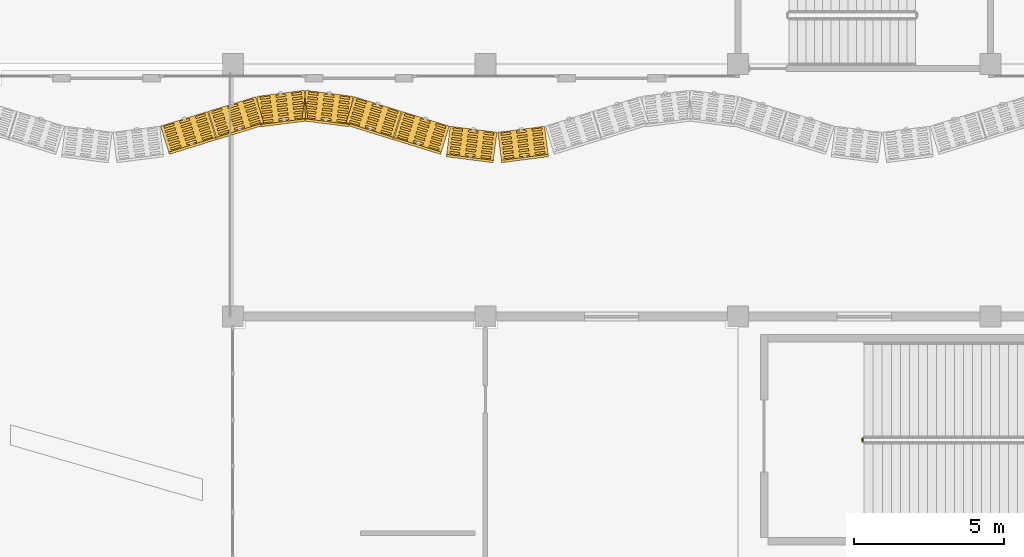
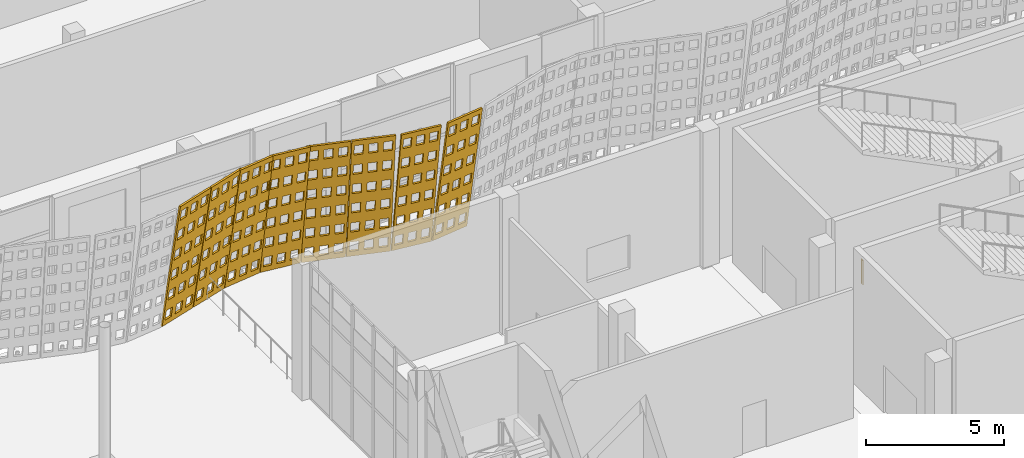
# One storey, part 186 of 210: 8 coverings, 1 railing.
"""IFC4 building model written with IfcOpenShell, lengths in metres."""

from ifc_helpers import new_model, si_unit, direction, frame, origin, origin_2d, place, context, subcontext, project, spatial, polyline, circle, outline, extrude, material, layer, layer_set, type_object, element, save


model = new_model("IFC4")

# Units and contexts
model_context = context("Model", 3, precision=1e-05, world=origin(), true_north=direction((0.0, 1.0)))
body_context = subcontext(model_context, "Body", "Model", "MODEL_VIEW")
ifc_project = project(units=[si_unit("LENGTHUNIT", "METRE"), si_unit("AREAUNIT", "SQUARE_METRE"), si_unit("VOLUMEUNIT", "CUBIC_METRE"), si_unit("PLANEANGLEUNIT", "RADIAN"), si_unit("MASSUNIT", "GRAM", prefix="KILO")], contexts=[model_context])

# Site, building, storey
site_placement = place(None, origin())
site = spatial("IfcSite", under=ifc_project, at=site_placement, CompositionType="ELEMENT")
building_placement = place(site_placement, origin())
building = spatial("IfcBuilding", under=site, at=building_placement, Name="Rain Tree Exposition and Congress Centre", CompositionType="ELEMENT")
storey_placement = place(building_placement, origin())
storey = spatial("IfcBuildingStorey", under=building, at=storey_placement, Name="L00", CompositionType="ELEMENT", Elevation=0.0)

# Railing
ifc_material_1 = material(Name="Steel S355J2H", Category="steel")
railing_type = type_object("IfcRailingType", Name="Steel guard 1100", PredefinedType="GUARDRAIL", material=ifc_material_1)
railing_placement = place(storey_placement, frame((172.14990234375, 63.050048828125, 0.0)))
element("IfcRailing", 1, at=railing_placement, inside=storey, type_object=railing_type, Name="L00 ST-G4 stair guard 4", PredefinedType="GUARDRAIL", context=body_context, shape_type="SweptSolid", body=[
    extrude(circle(Radius=0.02392578125, at=origin_2d()), frame((0.0, 0.0, 1.076171875), z_axis=(0.0, 1.0, 0.0), x_axis=(-1.0, 0.0, 0.0)), (0.0, 0.0, 1.0), 0.099853515625),
    extrude(circle(Radius=0.02099609375, at=origin_2d()), origin(), (0.0, 0.0, 1.0), 1.052001953125),
    extrude(circle(Radius=0.02099609375, at=origin_2d()), frame((0.0, 0.099853515625, 0.0)), (0.0, 0.0, 1.0), 1.052001953125),
])

# Coverings
ifc_material_2 = material(Name="Perforated terracotta", Category="masonry")
ifc_layer = layer(ifc_material_2, 0.080078125)
ifc_layer_set = layer_set([ifc_layer], Name="Perforated terracotta")
covering_type = type_object("IfcCoveringType", Name="Terracotta screen 80", PredefinedType="CLADDING", material=ifc_layer_set)
covering_1_placement = place(storey_placement, frame((148.800048828125, 73.455078125, 0.0), z_axis=(-0.293072736571, 0.943327870838, 0.155694891303), x_axis=(-0.954973588716, -0.296690823679, 0.0)))
element("IfcCovering", 2, at=covering_1_placement, inside=storey, type_object=covering_type, Name="concourse/screen/L00/094", PredefinedType="CLADDING", context=body_context, shape_type="SweptSolid", body=[
    extrude(outline(polyline([(-0.02197265625, 0.0), (-1.659912109375, 0.0), (-1.659912109375, 5.80859375), (-0.02197265625, 5.80859375), (-0.02197265625, 0.0)]), holes=[polyline([(-0.125732421875, 0.249755859375), (-0.125732421875, 0.71826171875), (-0.464111328125, 0.71826171875), (-0.464111328125, 0.249755859375), (-0.125732421875, 0.249755859375)]), polyline([(-0.125732421875, 1.218017578125), (-0.125732421875, 1.686279296875), (-0.464111328125, 1.686279296875), (-0.464111328125, 1.218017578125), (-0.125732421875, 1.218017578125)]), polyline([(-0.125732421875, 2.18603515625), (-0.125732421875, 2.654541015625), (-0.464111328125, 2.654541015625), (-0.464111328125, 2.18603515625), (-0.125732421875, 2.18603515625)]), polyline([(-0.125732421875, 3.154052734375), (-0.125732421875, 3.62255859375), (-0.464111328125, 3.62255859375), (-0.464111328125, 3.154052734375), (-0.125732421875, 3.154052734375)]), polyline([(-0.125732421875, 4.122314453125), (-0.125732421875, 4.5908203125), (-0.464111328125, 4.5908203125), (-0.464111328125, 4.122314453125), (-0.125732421875, 4.122314453125)]), polyline([(-0.125732421875, 5.09033203125), (-0.125732421875, 5.558837890625), (-0.464111328125, 5.558837890625), (-0.464111328125, 5.09033203125), (-0.125732421875, 5.09033203125)]), polyline([(-0.671630859375, 0.249755859375), (-0.671630859375, 0.71826171875), (-1.010009765625, 0.71826171875), (-1.010009765625, 0.249755859375), (-0.671630859375, 0.249755859375)]), polyline([(-0.671630859375, 1.218017578125), (-0.671630859375, 1.686279296875), (-1.010009765625, 1.686279296875), (-1.010009765625, 1.218017578125), (-0.671630859375, 1.218017578125)]), polyline([(-0.671630859375, 2.18603515625), (-0.671630859375, 2.654541015625), (-1.010009765625, 2.654541015625), (-1.010009765625, 2.18603515625), (-0.671630859375, 2.18603515625)]), polyline([(-0.671630859375, 3.154052734375), (-0.671630859375, 3.62255859375), (-1.010009765625, 3.62255859375), (-1.010009765625, 3.154052734375), (-0.671630859375, 3.154052734375)]), polyline([(-0.671630859375, 4.122314453125), (-0.671630859375, 4.5908203125), (-1.010009765625, 4.5908203125), (-1.010009765625, 4.122314453125), (-0.671630859375, 4.122314453125)]), polyline([(-0.671630859375, 5.09033203125), (-0.671630859375, 5.558837890625), (-1.010009765625, 5.558837890625), (-1.010009765625, 5.09033203125), (-0.671630859375, 5.09033203125)]), polyline([(-1.217529296875, 0.249755859375), (-1.217529296875, 0.71826171875), (-1.55615234375, 0.71826171875), (-1.55615234375, 0.249755859375), (-1.217529296875, 0.249755859375)]), polyline([(-1.217529296875, 1.218017578125), (-1.217529296875, 1.686279296875), (-1.55615234375, 1.686279296875), (-1.55615234375, 1.218017578125), (-1.217529296875, 1.218017578125)]), polyline([(-1.217529296875, 2.18603515625), (-1.217529296875, 2.654541015625), (-1.55615234375, 2.654541015625), (-1.55615234375, 2.18603515625), (-1.217529296875, 2.18603515625)]), polyline([(-1.217529296875, 3.154052734375), (-1.217529296875, 3.62255859375), (-1.55615234375, 3.62255859375), (-1.55615234375, 3.154052734375), (-1.217529296875, 3.154052734375)]), polyline([(-1.217529296875, 4.122314453125), (-1.217529296875, 4.5908203125), (-1.55615234375, 4.5908203125), (-1.55615234375, 4.122314453125), (-1.217529296875, 4.122314453125)]), polyline([(-1.217529296875, 5.09033203125), (-1.217529296875, 5.558837890625), (-1.55615234375, 5.558837890625), (-1.55615234375, 5.09033203125), (-1.217529296875, 5.09033203125)])]), origin(), (0.0, 0.0, 1.0), 0.080078125),
])
covering_2_placement = place(storey_placement, frame((150.39990234375, 73.949951171875, 0.0), z_axis=(-0.290278371326, 0.94416859726, 0.155833651975), x_axis=(-0.955845867297, -0.293868470528, 0.0)))
element("IfcCovering", 3, at=covering_2_placement, inside=storey, type_object=covering_type, Name="concourse/screen/L00/095", PredefinedType="CLADDING", context=body_context, shape_type="SweptSolid", body=[
    extrude(outline(polyline([(-0.014892578125, 0.0), (-1.659912109375, 0.0), (-1.659912109375, 5.80859375), (-0.014892578125, 5.80859375), (-0.014892578125, 0.0)]), holes=[polyline([(-0.119140625, 0.249755859375), (-0.119140625, 0.71826171875), (-0.458984375, 0.71826171875), (-0.458984375, 0.249755859375), (-0.119140625, 0.249755859375)]), polyline([(-0.119140625, 1.218017578125), (-0.119140625, 1.686279296875), (-0.458984375, 1.686279296875), (-0.458984375, 1.218017578125), (-0.119140625, 1.218017578125)]), polyline([(-0.119140625, 2.18603515625), (-0.119140625, 2.654541015625), (-0.458984375, 2.654541015625), (-0.458984375, 2.18603515625), (-0.119140625, 2.18603515625)]), polyline([(-0.119140625, 3.154052734375), (-0.119140625, 3.62255859375), (-0.458984375, 3.62255859375), (-0.458984375, 3.154052734375), (-0.119140625, 3.154052734375)]), polyline([(-0.119140625, 4.122314453125), (-0.119140625, 4.5908203125), (-0.458984375, 4.5908203125), (-0.458984375, 4.122314453125), (-0.119140625, 4.122314453125)]), polyline([(-0.119140625, 5.09033203125), (-0.119140625, 5.558837890625), (-0.458984375, 5.558837890625), (-0.458984375, 5.09033203125), (-0.119140625, 5.09033203125)]), polyline([(-0.66748046875, 0.249755859375), (-0.66748046875, 0.71826171875), (-1.00732421875, 0.71826171875), (-1.00732421875, 0.249755859375), (-0.66748046875, 0.249755859375)]), polyline([(-0.66748046875, 1.218017578125), (-0.66748046875, 1.686279296875), (-1.00732421875, 1.686279296875), (-1.00732421875, 1.218017578125), (-0.66748046875, 1.218017578125)]), polyline([(-0.66748046875, 2.18603515625), (-0.66748046875, 2.654541015625), (-1.00732421875, 2.654541015625), (-1.00732421875, 2.18603515625), (-0.66748046875, 2.18603515625)]), polyline([(-0.66748046875, 3.154052734375), (-0.66748046875, 3.62255859375), (-1.00732421875, 3.62255859375), (-1.00732421875, 3.154052734375), (-0.66748046875, 3.154052734375)]), polyline([(-0.66748046875, 4.122314453125), (-0.66748046875, 4.5908203125), (-1.00732421875, 4.5908203125), (-1.00732421875, 4.122314453125), (-0.66748046875, 4.122314453125)]), polyline([(-0.66748046875, 5.09033203125), (-0.66748046875, 5.558837890625), (-1.00732421875, 5.558837890625), (-1.00732421875, 5.09033203125), (-0.66748046875, 5.09033203125)]), polyline([(-1.2158203125, 0.249755859375), (-1.2158203125, 0.71826171875), (-1.5556640625, 0.71826171875), (-1.5556640625, 0.249755859375), (-1.2158203125, 0.249755859375)]), polyline([(-1.2158203125, 1.218017578125), (-1.2158203125, 1.686279296875), (-1.5556640625, 1.686279296875), (-1.5556640625, 1.218017578125), (-1.2158203125, 1.218017578125)]), polyline([(-1.2158203125, 2.18603515625), (-1.2158203125, 2.654541015625), (-1.5556640625, 2.654541015625), (-1.5556640625, 2.18603515625), (-1.2158203125, 2.18603515625)]), polyline([(-1.2158203125, 3.154052734375), (-1.2158203125, 3.62255859375), (-1.5556640625, 3.62255859375), (-1.5556640625, 3.154052734375), (-1.2158203125, 3.154052734375)]), polyline([(-1.2158203125, 4.122314453125), (-1.2158203125, 4.5908203125), (-1.5556640625, 4.5908203125), (-1.5556640625, 4.122314453125), (-1.2158203125, 4.122314453125)]), polyline([(-1.2158203125, 5.09033203125), (-1.2158203125, 5.558837890625), (-1.5556640625, 5.558837890625), (-1.5556640625, 5.09033203125), (-1.2158203125, 5.09033203125)])]), origin(), (0.0, 0.0, 1.0), 0.079833984375),
])
covering_3_placement = place(storey_placement, frame((152.0, 74.445068359375, 0.0), z_axis=(-0.125405134464, 0.978771781185, 0.162109076259), x_axis=(-0.991891686382, -0.127086122318, 0.0)))
element("IfcCovering", 4, at=covering_3_placement, inside=storey, type_object=covering_type, Name="concourse/screen/L00/096", PredefinedType="CLADDING", context=body_context, shape_type="SweptSolid", body=[
    extrude(outline(polyline([(-0.014892578125, 0.0), (-1.59814453125, 0.0), (-1.59814453125, 5.813720703125), (-0.014892578125, 5.813720703125), (-0.014892578125, 0.0)]), holes=[polyline([(-0.115234375, 0.25), (-0.115234375, 0.718994140625), (-0.4423828125, 0.718994140625), (-0.4423828125, 0.25), (-0.115234375, 0.25)]), polyline([(-0.115234375, 1.218994140625), (-0.115234375, 1.687744140625), (-0.4423828125, 1.687744140625), (-0.4423828125, 1.218994140625), (-0.115234375, 1.218994140625)]), polyline([(-0.115234375, 2.18798828125), (-0.115234375, 2.65673828125), (-0.4423828125, 2.65673828125), (-0.4423828125, 2.18798828125), (-0.115234375, 2.18798828125)]), polyline([(-0.115234375, 3.156982421875), (-0.115234375, 3.625732421875), (-0.4423828125, 3.625732421875), (-0.4423828125, 3.156982421875), (-0.115234375, 3.156982421875)]), polyline([(-0.115234375, 4.125732421875), (-0.115234375, 4.594482421875), (-0.4423828125, 4.594482421875), (-0.4423828125, 4.125732421875), (-0.115234375, 4.125732421875)]), polyline([(-0.115234375, 5.0947265625), (-0.115234375, 5.563720703125), (-0.4423828125, 5.563720703125), (-0.4423828125, 5.0947265625), (-0.115234375, 5.0947265625)]), polyline([(-0.64306640625, 0.25), (-0.64306640625, 0.718994140625), (-0.97021484375, 0.718994140625), (-0.97021484375, 0.25), (-0.64306640625, 0.25)]), polyline([(-0.64306640625, 1.218994140625), (-0.64306640625, 1.687744140625), (-0.97021484375, 1.687744140625), (-0.97021484375, 1.218994140625), (-0.64306640625, 1.218994140625)]), polyline([(-0.64306640625, 2.18798828125), (-0.64306640625, 2.65673828125), (-0.97021484375, 2.65673828125), (-0.97021484375, 2.18798828125), (-0.64306640625, 2.18798828125)]), polyline([(-0.64306640625, 3.156982421875), (-0.64306640625, 3.625732421875), (-0.97021484375, 3.625732421875), (-0.97021484375, 3.156982421875), (-0.64306640625, 3.156982421875)]), polyline([(-0.64306640625, 4.125732421875), (-0.64306640625, 4.594482421875), (-0.97021484375, 4.594482421875), (-0.97021484375, 4.125732421875), (-0.64306640625, 4.125732421875)]), polyline([(-0.64306640625, 5.0947265625), (-0.64306640625, 5.563720703125), (-0.97021484375, 5.563720703125), (-0.97021484375, 5.0947265625), (-0.64306640625, 5.0947265625)]), polyline([(-1.170654296875, 0.25), (-1.170654296875, 0.718994140625), (-1.497802734375, 0.718994140625), (-1.497802734375, 0.25), (-1.170654296875, 0.25)]), polyline([(-1.170654296875, 1.218994140625), (-1.170654296875, 1.687744140625), (-1.497802734375, 1.687744140625), (-1.497802734375, 1.218994140625), (-1.170654296875, 1.218994140625)]), polyline([(-1.170654296875, 2.18798828125), (-1.170654296875, 2.65673828125), (-1.497802734375, 2.65673828125), (-1.497802734375, 2.18798828125), (-1.170654296875, 2.18798828125)]), polyline([(-1.170654296875, 3.156982421875), (-1.170654296875, 3.625732421875), (-1.497802734375, 3.625732421875), (-1.497802734375, 3.156982421875), (-1.170654296875, 3.156982421875)]), polyline([(-1.170654296875, 4.125732421875), (-1.170654296875, 4.594482421875), (-1.497802734375, 4.594482421875), (-1.497802734375, 4.125732421875), (-1.170654296875, 4.125732421875)]), polyline([(-1.170654296875, 5.0947265625), (-1.170654296875, 5.563720703125), (-1.497802734375, 5.563720703125), (-1.497802734375, 5.0947265625), (-1.170654296875, 5.0947265625)])]), origin(), (0.0, 0.0, 1.0), 0.079833984375),
])
covering_4_placement = place(storey_placement, frame((153.60009765625, 74.64990234375, 0.0), z_axis=(0.125030801275, 0.978899688033, 0.161625182136), x_axis=(-0.991941518713, 0.126696580272, 0.0)))
element("IfcCovering", 5, at=covering_4_placement, inside=storey, type_object=covering_type, Name="concourse/screen/L00/097", PredefinedType="CLADDING", context=body_context, shape_type="SweptSolid", body=[
    extrude(outline(polyline([(-0.014892578125, 0.0), (-1.59814453125, 0.0), (-1.59814453125, 5.813720703125), (-0.014892578125, 5.813720703125), (-0.014892578125, 0.0)]), holes=[polyline([(-0.115234375, 0.25), (-0.115234375, 0.718994140625), (-0.4423828125, 0.718994140625), (-0.4423828125, 0.25), (-0.115234375, 0.25)]), polyline([(-0.115234375, 1.218994140625), (-0.115234375, 1.687744140625), (-0.4423828125, 1.687744140625), (-0.4423828125, 1.218994140625), (-0.115234375, 1.218994140625)]), polyline([(-0.115234375, 2.18798828125), (-0.115234375, 2.65673828125), (-0.4423828125, 2.65673828125), (-0.4423828125, 2.18798828125), (-0.115234375, 2.18798828125)]), polyline([(-0.115234375, 3.156982421875), (-0.115234375, 3.625732421875), (-0.4423828125, 3.625732421875), (-0.4423828125, 3.156982421875), (-0.115234375, 3.156982421875)]), polyline([(-0.115234375, 4.125732421875), (-0.115234375, 4.594482421875), (-0.4423828125, 4.594482421875), (-0.4423828125, 4.125732421875), (-0.115234375, 4.125732421875)]), polyline([(-0.115234375, 5.0947265625), (-0.115234375, 5.563720703125), (-0.4423828125, 5.563720703125), (-0.4423828125, 5.0947265625), (-0.115234375, 5.0947265625)]), polyline([(-0.64306640625, 0.25), (-0.64306640625, 0.718994140625), (-0.97021484375, 0.718994140625), (-0.97021484375, 0.25), (-0.64306640625, 0.25)]), polyline([(-0.64306640625, 1.218994140625), (-0.64306640625, 1.687744140625), (-0.97021484375, 1.687744140625), (-0.97021484375, 1.218994140625), (-0.64306640625, 1.218994140625)]), polyline([(-0.64306640625, 2.18798828125), (-0.64306640625, 2.65673828125), (-0.97021484375, 2.65673828125), (-0.97021484375, 2.18798828125), (-0.64306640625, 2.18798828125)]), polyline([(-0.64306640625, 3.156982421875), (-0.64306640625, 3.625732421875), (-0.97021484375, 3.625732421875), (-0.97021484375, 3.156982421875), (-0.64306640625, 3.156982421875)]), polyline([(-0.64306640625, 4.125732421875), (-0.64306640625, 4.594482421875), (-0.97021484375, 4.594482421875), (-0.97021484375, 4.125732421875), (-0.64306640625, 4.125732421875)]), polyline([(-0.64306640625, 5.0947265625), (-0.64306640625, 5.563720703125), (-0.97021484375, 5.563720703125), (-0.97021484375, 5.0947265625), (-0.64306640625, 5.0947265625)]), polyline([(-1.170654296875, 0.25), (-1.170654296875, 0.718994140625), (-1.497802734375, 0.718994140625), (-1.497802734375, 0.25), (-1.170654296875, 0.25)]), polyline([(-1.170654296875, 1.218994140625), (-1.170654296875, 1.687744140625), (-1.497802734375, 1.687744140625), (-1.497802734375, 1.218994140625), (-1.170654296875, 1.218994140625)]), polyline([(-1.170654296875, 2.18798828125), (-1.170654296875, 2.65673828125), (-1.497802734375, 2.65673828125), (-1.497802734375, 2.18798828125), (-1.170654296875, 2.18798828125)]), polyline([(-1.170654296875, 3.156982421875), (-1.170654296875, 3.625732421875), (-1.497802734375, 3.625732421875), (-1.497802734375, 3.156982421875), (-1.170654296875, 3.156982421875)]), polyline([(-1.170654296875, 4.125732421875), (-1.170654296875, 4.594482421875), (-1.497802734375, 4.594482421875), (-1.497802734375, 4.125732421875), (-1.170654296875, 4.125732421875)]), polyline([(-1.170654296875, 5.0947265625), (-1.170654296875, 5.563720703125), (-1.497802734375, 5.563720703125), (-1.497802734375, 5.0947265625), (-1.170654296875, 5.0947265625)])]), origin(), (0.0, 0.0, 1.0), 0.080078125),
])
covering_5_placement = place(storey_placement, frame((155.199951171875, 74.445068359375, 0.0), z_axis=(0.293072736571, 0.943327870838, 0.155694891303), x_axis=(-0.954973588716, 0.296690823679, 0.0)))
element("IfcCovering", 6, at=covering_5_placement, inside=storey, type_object=covering_type, Name="concourse/screen/L00/098", PredefinedType="CLADDING", context=body_context, shape_type="SweptSolid", body=[
    extrude(outline(polyline([(-0.014892578125, 0.0), (-1.659912109375, 0.0), (-1.659912109375, 5.80859375), (-0.014892578125, 5.80859375), (-0.014892578125, 0.0)]), holes=[polyline([(-0.119140625, 0.249755859375), (-0.119140625, 0.71826171875), (-0.458984375, 0.71826171875), (-0.458984375, 0.249755859375), (-0.119140625, 0.249755859375)]), polyline([(-0.119140625, 1.218017578125), (-0.119140625, 1.686279296875), (-0.458984375, 1.686279296875), (-0.458984375, 1.218017578125), (-0.119140625, 1.218017578125)]), polyline([(-0.119140625, 2.18603515625), (-0.119140625, 2.654541015625), (-0.458984375, 2.654541015625), (-0.458984375, 2.18603515625), (-0.119140625, 2.18603515625)]), polyline([(-0.119140625, 3.154052734375), (-0.119140625, 3.62255859375), (-0.458984375, 3.62255859375), (-0.458984375, 3.154052734375), (-0.119140625, 3.154052734375)]), polyline([(-0.119140625, 4.122314453125), (-0.119140625, 4.5908203125), (-0.458984375, 4.5908203125), (-0.458984375, 4.122314453125), (-0.119140625, 4.122314453125)]), polyline([(-0.119140625, 5.09033203125), (-0.119140625, 5.558837890625), (-0.458984375, 5.558837890625), (-0.458984375, 5.09033203125), (-0.119140625, 5.09033203125)]), polyline([(-0.66748046875, 0.249755859375), (-0.66748046875, 0.71826171875), (-1.00732421875, 0.71826171875), (-1.00732421875, 0.249755859375), (-0.66748046875, 0.249755859375)]), polyline([(-0.66748046875, 1.218017578125), (-0.66748046875, 1.686279296875), (-1.00732421875, 1.686279296875), (-1.00732421875, 1.218017578125), (-0.66748046875, 1.218017578125)]), polyline([(-0.66748046875, 2.18603515625), (-0.66748046875, 2.654541015625), (-1.00732421875, 2.654541015625), (-1.00732421875, 2.18603515625), (-0.66748046875, 2.18603515625)]), polyline([(-0.66748046875, 3.154052734375), (-0.66748046875, 3.62255859375), (-1.00732421875, 3.62255859375), (-1.00732421875, 3.154052734375), (-0.66748046875, 3.154052734375)]), polyline([(-0.66748046875, 4.122314453125), (-0.66748046875, 4.5908203125), (-1.00732421875, 4.5908203125), (-1.00732421875, 4.122314453125), (-0.66748046875, 4.122314453125)]), polyline([(-0.66748046875, 5.09033203125), (-0.66748046875, 5.558837890625), (-1.00732421875, 5.558837890625), (-1.00732421875, 5.09033203125), (-0.66748046875, 5.09033203125)]), polyline([(-1.2158203125, 0.249755859375), (-1.2158203125, 0.71826171875), (-1.5556640625, 0.71826171875), (-1.5556640625, 0.249755859375), (-1.2158203125, 0.249755859375)]), polyline([(-1.2158203125, 1.218017578125), (-1.2158203125, 1.686279296875), (-1.5556640625, 1.686279296875), (-1.5556640625, 1.218017578125), (-1.2158203125, 1.218017578125)]), polyline([(-1.2158203125, 2.18603515625), (-1.2158203125, 2.654541015625), (-1.5556640625, 2.654541015625), (-1.5556640625, 2.18603515625), (-1.2158203125, 2.18603515625)]), polyline([(-1.2158203125, 3.154052734375), (-1.2158203125, 3.62255859375), (-1.5556640625, 3.62255859375), (-1.5556640625, 3.154052734375), (-1.2158203125, 3.154052734375)]), polyline([(-1.2158203125, 4.122314453125), (-1.2158203125, 4.5908203125), (-1.5556640625, 4.5908203125), (-1.5556640625, 4.122314453125), (-1.2158203125, 4.122314453125)]), polyline([(-1.2158203125, 5.09033203125), (-1.2158203125, 5.558837890625), (-1.5556640625, 5.558837890625), (-1.5556640625, 5.09033203125), (-1.2158203125, 5.09033203125)])]), origin(), (0.0, 0.0, 1.0), 0.080078125),
])
covering_6_placement = place(storey_placement, frame((156.800048828125, 73.949951171875, 0.0), z_axis=(0.293072736571, 0.943327870838, 0.155694891303), x_axis=(-0.954973588716, 0.296690823679, 0.0)))
element("IfcCovering", 7, at=covering_6_placement, inside=storey, type_object=covering_type, Name="concourse/screen/L00/099", PredefinedType="CLADDING", context=body_context, shape_type="SweptSolid", body=[
    extrude(outline(polyline([(-0.014892578125, 0.0), (-1.65283203125, 0.0), (-1.65283203125, 5.80859375), (-0.014892578125, 5.80859375), (-0.014892578125, 0.0)]), holes=[polyline([(-0.11865234375, 0.249755859375), (-0.11865234375, 0.71826171875), (-0.457275390625, 0.71826171875), (-0.457275390625, 0.249755859375), (-0.11865234375, 0.249755859375)]), polyline([(-0.11865234375, 1.218017578125), (-0.11865234375, 1.686279296875), (-0.457275390625, 1.686279296875), (-0.457275390625, 1.218017578125), (-0.11865234375, 1.218017578125)]), polyline([(-0.11865234375, 2.18603515625), (-0.11865234375, 2.654541015625), (-0.457275390625, 2.654541015625), (-0.457275390625, 2.18603515625), (-0.11865234375, 2.18603515625)]), polyline([(-0.11865234375, 3.154052734375), (-0.11865234375, 3.62255859375), (-0.457275390625, 3.62255859375), (-0.457275390625, 3.154052734375), (-0.11865234375, 3.154052734375)]), polyline([(-0.11865234375, 4.122314453125), (-0.11865234375, 4.5908203125), (-0.457275390625, 4.5908203125), (-0.457275390625, 4.122314453125), (-0.11865234375, 4.122314453125)]), polyline([(-0.11865234375, 5.09033203125), (-0.11865234375, 5.558837890625), (-0.457275390625, 5.558837890625), (-0.457275390625, 5.09033203125), (-0.11865234375, 5.09033203125)]), polyline([(-0.664794921875, 0.249755859375), (-0.664794921875, 0.71826171875), (-1.003173828125, 0.71826171875), (-1.003173828125, 0.249755859375), (-0.664794921875, 0.249755859375)]), polyline([(-0.664794921875, 1.218017578125), (-0.664794921875, 1.686279296875), (-1.003173828125, 1.686279296875), (-1.003173828125, 1.218017578125), (-0.664794921875, 1.218017578125)]), polyline([(-0.664794921875, 2.18603515625), (-0.664794921875, 2.654541015625), (-1.003173828125, 2.654541015625), (-1.003173828125, 2.18603515625), (-0.664794921875, 2.18603515625)]), polyline([(-0.664794921875, 3.154052734375), (-0.664794921875, 3.62255859375), (-1.003173828125, 3.62255859375), (-1.003173828125, 3.154052734375), (-0.664794921875, 3.154052734375)]), polyline([(-0.664794921875, 4.122314453125), (-0.664794921875, 4.5908203125), (-1.003173828125, 4.5908203125), (-1.003173828125, 4.122314453125), (-0.664794921875, 4.122314453125)]), polyline([(-0.664794921875, 5.09033203125), (-0.664794921875, 5.558837890625), (-1.003173828125, 5.558837890625), (-1.003173828125, 5.09033203125), (-0.664794921875, 5.09033203125)]), polyline([(-1.210693359375, 0.249755859375), (-1.210693359375, 0.71826171875), (-1.54931640625, 0.71826171875), (-1.54931640625, 0.249755859375), (-1.210693359375, 0.249755859375)]), polyline([(-1.210693359375, 1.218017578125), (-1.210693359375, 1.686279296875), (-1.54931640625, 1.686279296875), (-1.54931640625, 1.218017578125), (-1.210693359375, 1.218017578125)]), polyline([(-1.210693359375, 2.18603515625), (-1.210693359375, 2.654541015625), (-1.54931640625, 2.654541015625), (-1.54931640625, 2.18603515625), (-1.210693359375, 2.18603515625)]), polyline([(-1.210693359375, 3.154052734375), (-1.210693359375, 3.62255859375), (-1.54931640625, 3.62255859375), (-1.54931640625, 3.154052734375), (-1.210693359375, 3.154052734375)]), polyline([(-1.210693359375, 4.122314453125), (-1.210693359375, 4.5908203125), (-1.54931640625, 4.5908203125), (-1.54931640625, 4.122314453125), (-1.210693359375, 4.122314453125)]), polyline([(-1.210693359375, 5.09033203125), (-1.210693359375, 5.558837890625), (-1.54931640625, 5.558837890625), (-1.54931640625, 5.09033203125), (-1.210693359375, 5.09033203125)])]), origin(), (0.0, 0.0, 1.0), 0.080078125),
])
covering_7_placement = place(storey_placement, frame((158.39990234375, 73.455078125, 0.0), z_axis=(0.125405134464, 0.978771781185, 0.162109076259), x_axis=(-0.991891686382, 0.127086122318, 0.0)))
element("IfcCovering", 8, at=covering_7_placement, inside=storey, type_object=covering_type, Name="concourse/screen/L00/100", PredefinedType="CLADDING", context=body_context, shape_type="SweptSolid", body=[
    extrude(outline(polyline([(-0.02197265625, 0.0), (-1.587890625, 0.0), (-1.587890625, 5.813720703125), (-0.02197265625, 5.813720703125), (-0.02197265625, 0.0)]), holes=[polyline([(-0.12109375, 0.25), (-0.12109375, 0.718994140625), (-0.444580078125, 0.718994140625), (-0.444580078125, 0.25), (-0.12109375, 0.25)]), polyline([(-0.12109375, 1.218994140625), (-0.12109375, 1.687744140625), (-0.444580078125, 1.687744140625), (-0.444580078125, 1.218994140625), (-0.12109375, 1.218994140625)]), polyline([(-0.12109375, 2.18798828125), (-0.12109375, 2.65673828125), (-0.444580078125, 2.65673828125), (-0.444580078125, 2.18798828125), (-0.12109375, 2.18798828125)]), polyline([(-0.12109375, 3.156982421875), (-0.12109375, 3.625732421875), (-0.444580078125, 3.625732421875), (-0.444580078125, 3.156982421875), (-0.12109375, 3.156982421875)]), polyline([(-0.12109375, 4.125732421875), (-0.12109375, 4.594482421875), (-0.444580078125, 4.594482421875), (-0.444580078125, 4.125732421875), (-0.12109375, 4.125732421875)]), polyline([(-0.12109375, 5.0947265625), (-0.12109375, 5.563720703125), (-0.444580078125, 5.563720703125), (-0.444580078125, 5.0947265625), (-0.12109375, 5.0947265625)]), polyline([(-0.64306640625, 0.25), (-0.64306640625, 0.718994140625), (-0.966796875, 0.718994140625), (-0.966796875, 0.25), (-0.64306640625, 0.25)]), polyline([(-0.64306640625, 1.218994140625), (-0.64306640625, 1.687744140625), (-0.966796875, 1.687744140625), (-0.966796875, 1.218994140625), (-0.64306640625, 1.218994140625)]), polyline([(-0.64306640625, 2.18798828125), (-0.64306640625, 2.65673828125), (-0.966796875, 2.65673828125), (-0.966796875, 2.18798828125), (-0.64306640625, 2.18798828125)]), polyline([(-0.64306640625, 3.156982421875), (-0.64306640625, 3.625732421875), (-0.966796875, 3.625732421875), (-0.966796875, 3.156982421875), (-0.64306640625, 3.156982421875)]), polyline([(-0.64306640625, 4.125732421875), (-0.64306640625, 4.594482421875), (-0.966796875, 4.594482421875), (-0.966796875, 4.125732421875), (-0.64306640625, 4.125732421875)]), polyline([(-0.64306640625, 5.0947265625), (-0.64306640625, 5.563720703125), (-0.966796875, 5.563720703125), (-0.966796875, 5.0947265625), (-0.64306640625, 5.0947265625)]), polyline([(-1.1650390625, 0.25), (-1.1650390625, 0.718994140625), (-1.48876953125, 0.718994140625), (-1.48876953125, 0.25), (-1.1650390625, 0.25)]), polyline([(-1.1650390625, 1.218994140625), (-1.1650390625, 1.687744140625), (-1.48876953125, 1.687744140625), (-1.48876953125, 1.218994140625), (-1.1650390625, 1.218994140625)]), polyline([(-1.1650390625, 2.18798828125), (-1.1650390625, 2.65673828125), (-1.48876953125, 2.65673828125), (-1.48876953125, 2.18798828125), (-1.1650390625, 2.18798828125)]), polyline([(-1.1650390625, 3.156982421875), (-1.1650390625, 3.625732421875), (-1.48876953125, 3.625732421875), (-1.48876953125, 3.156982421875), (-1.1650390625, 3.156982421875)]), polyline([(-1.1650390625, 4.125732421875), (-1.1650390625, 4.594482421875), (-1.48876953125, 4.594482421875), (-1.48876953125, 4.125732421875), (-1.1650390625, 4.125732421875)]), polyline([(-1.1650390625, 5.0947265625), (-1.1650390625, 5.563720703125), (-1.48876953125, 5.563720703125), (-1.48876953125, 5.0947265625), (-1.1650390625, 5.0947265625)])]), origin(), (0.0, 0.0, 1.0), 0.079833984375),
])
covering_8_placement = place(storey_placement, frame((160.0, 73.25, 0.0), z_axis=(-0.125030801275, 0.978899688033, 0.161625182136), x_axis=(-0.991941518713, -0.126696580272, 0.0)))
element("IfcCovering", 9, at=covering_8_placement, inside=storey, type_object=covering_type, Name="concourse/screen/L00/101", PredefinedType="CLADDING", context=body_context, shape_type="SweptSolid", body=[
    extrude(outline(polyline([(-0.025146484375, 0.0), (-1.59130859375, 0.0), (-1.59130859375, 5.813720703125), (-0.025146484375, 5.813720703125), (-0.025146484375, 0.0)]), holes=[polyline([(-0.12451171875, 0.25), (-0.12451171875, 0.718994140625), (-0.447998046875, 0.718994140625), (-0.447998046875, 0.25), (-0.12451171875, 0.25)]), polyline([(-0.12451171875, 1.218994140625), (-0.12451171875, 1.687744140625), (-0.447998046875, 1.687744140625), (-0.447998046875, 1.218994140625), (-0.12451171875, 1.218994140625)]), polyline([(-0.12451171875, 2.18798828125), (-0.12451171875, 2.65673828125), (-0.447998046875, 2.65673828125), (-0.447998046875, 2.18798828125), (-0.12451171875, 2.18798828125)]), polyline([(-0.12451171875, 3.156982421875), (-0.12451171875, 3.625732421875), (-0.447998046875, 3.625732421875), (-0.447998046875, 3.156982421875), (-0.12451171875, 3.156982421875)]), polyline([(-0.12451171875, 4.125732421875), (-0.12451171875, 4.594482421875), (-0.447998046875, 4.594482421875), (-0.447998046875, 4.125732421875), (-0.12451171875, 4.125732421875)]), polyline([(-0.12451171875, 5.0947265625), (-0.12451171875, 5.563720703125), (-0.447998046875, 5.563720703125), (-0.447998046875, 5.0947265625), (-0.12451171875, 5.0947265625)]), polyline([(-0.646484375, 0.25), (-0.646484375, 0.718994140625), (-0.969970703125, 0.718994140625), (-0.969970703125, 0.25), (-0.646484375, 0.25)]), polyline([(-0.646484375, 1.218994140625), (-0.646484375, 1.687744140625), (-0.969970703125, 1.687744140625), (-0.969970703125, 1.218994140625), (-0.646484375, 1.218994140625)]), polyline([(-0.646484375, 2.18798828125), (-0.646484375, 2.65673828125), (-0.969970703125, 2.65673828125), (-0.969970703125, 2.18798828125), (-0.646484375, 2.18798828125)]), polyline([(-0.646484375, 3.156982421875), (-0.646484375, 3.625732421875), (-0.969970703125, 3.625732421875), (-0.969970703125, 3.156982421875), (-0.646484375, 3.156982421875)]), polyline([(-0.646484375, 4.125732421875), (-0.646484375, 4.594482421875), (-0.969970703125, 4.594482421875), (-0.969970703125, 4.125732421875), (-0.646484375, 4.125732421875)]), polyline([(-0.646484375, 5.0947265625), (-0.646484375, 5.563720703125), (-0.969970703125, 5.563720703125), (-0.969970703125, 5.0947265625), (-0.646484375, 5.0947265625)]), polyline([(-1.16845703125, 0.25), (-1.16845703125, 0.718994140625), (-1.491943359375, 0.718994140625), (-1.491943359375, 0.25), (-1.16845703125, 0.25)]), polyline([(-1.16845703125, 1.218994140625), (-1.16845703125, 1.687744140625), (-1.491943359375, 1.687744140625), (-1.491943359375, 1.218994140625), (-1.16845703125, 1.218994140625)]), polyline([(-1.16845703125, 2.18798828125), (-1.16845703125, 2.65673828125), (-1.491943359375, 2.65673828125), (-1.491943359375, 2.18798828125), (-1.16845703125, 2.18798828125)]), polyline([(-1.16845703125, 3.156982421875), (-1.16845703125, 3.625732421875), (-1.491943359375, 3.625732421875), (-1.491943359375, 3.156982421875), (-1.16845703125, 3.156982421875)]), polyline([(-1.16845703125, 4.125732421875), (-1.16845703125, 4.594482421875), (-1.491943359375, 4.594482421875), (-1.491943359375, 4.125732421875), (-1.16845703125, 4.125732421875)]), polyline([(-1.16845703125, 5.0947265625), (-1.16845703125, 5.563720703125), (-1.491943359375, 5.563720703125), (-1.491943359375, 5.0947265625), (-1.16845703125, 5.0947265625)])]), origin(), (0.0, 0.0, 1.0), 0.080078125),
])

save(model, "model.ifc")
